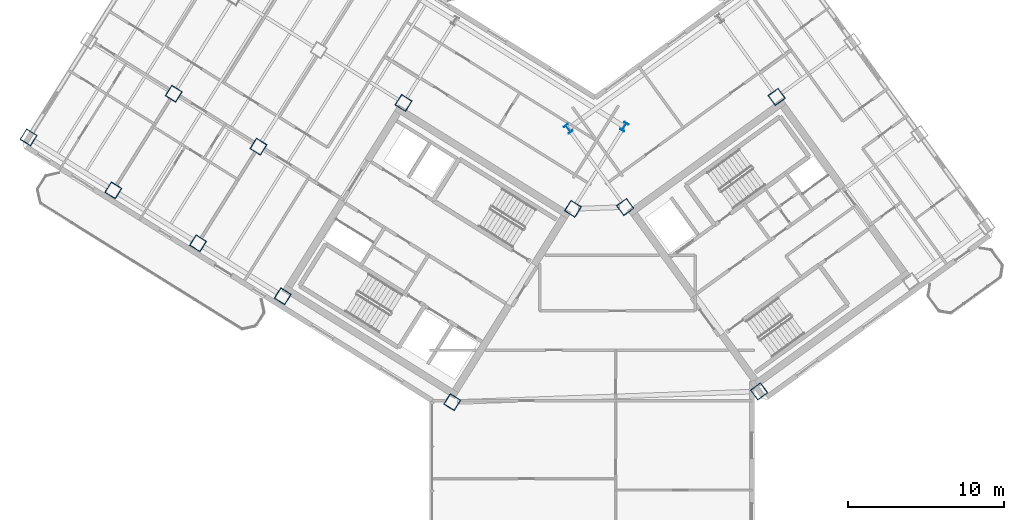
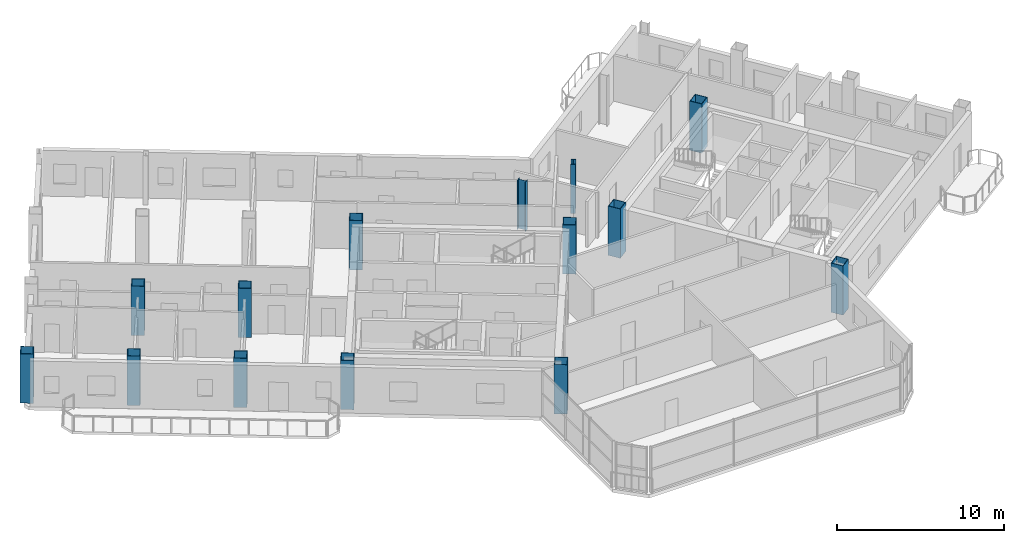
# One storey, part 1 of 20: 14 columns.
"""IFC4 building model written with IfcOpenShell, lengths in metres."""

from ifc_helpers import new_model, si_unit, direction, frame, origin, origin_2d, place, context, subcontext, project, spatial, hollow_rectangle, i_section, extrude, source, transform, mapped, material, material_profile, profile_set, type_object, element, save


model = new_model("IFC4")

# Units and contexts
model_context = context("Model", 3, precision=1e-05, world=origin(), true_north=direction((0.0, 1.0)))
body_context = subcontext(model_context, "Body", "Model", "MODEL_VIEW")
ifc_project = project(units=[si_unit("LENGTHUNIT", "METRE"), si_unit("AREAUNIT", "SQUARE_METRE"), si_unit("VOLUMEUNIT", "CUBIC_METRE"), si_unit("PLANEANGLEUNIT", "RADIAN"), si_unit("MASSUNIT", "GRAM", prefix="KILO")], contexts=[model_context])

# Site, building, storey
site_placement = place(None, origin())
site = spatial("IfcSite", under=ifc_project, at=site_placement, CompositionType="ELEMENT")
building_placement = place(site_placement, origin())
building = spatial("IfcBuilding", under=site, at=building_placement, Name="Tlacorven Tower", CompositionType="ELEMENT")
storey_placement = place(building_placement, frame((0.0, 0.0, 211.199951171875)))
storey = spatial("IfcBuildingStorey", under=building, at=storey_placement, Name="L53", CompositionType="ELEMENT", Elevation=211.199951171875)

# Columns
ifc_material = material(Name="Steel S460M", Category="steel")
ifc_material_profile_1 = material_profile(ifc_material, i_section(OverallWidth=0.300048828125, OverallDepth=0.550048828125, WebThickness=0.014892578125, FlangeThickness=0.029052734375, at=origin_2d()), Name="HEB 550")
ifc_profile_set_1 = profile_set([ifc_material_profile_1], Name="Steel S460M")
column_type_1 = type_object("IfcColumnType", Name="COL-TWR-P2", PredefinedType="COLUMN", material=ifc_profile_set_1)
shared_shape_1 = source(origin(), body_context, "Body", "SweptSolid", [
    extrude(i_section(OverallWidth=0.300048828125, OverallDepth=0.550048828125, WebThickness=0.014892578125, FlangeThickness=0.029052734375, at=origin_2d()), origin(), (0.0, 0.0, 1.0), 3.60009765625),
])
for number, where, z_axis, x_axis, name in (
    (1, (44.068359375, 29.726318359375, 0.0), (0.0, 0.0, 1.0), (-0.848048096156, 0.529919264233, 0.0), "L53 column COL-L53-W1-1"),
    (2, (40.4794921875, 29.60107421875, 0.0), (0.0, 0.0, 1.0), (0.809016994375, 0.587785252292, 0.0), "L53 column COL-L53-E1-4"),
):
    element("IfcColumn", number, at=place(storey_placement, frame(where, z_axis=z_axis, x_axis=x_axis)), inside=storey, type_object=column_type_1, Name=name, PredefinedType="COLUMN", context=body_context, shape_type="MappedRepresentation", body=[
        mapped(shared_shape_1, transform((0.0, 0.0, 0.0), scale=1.0)),
    ])
ifc_material_profile_2 = material_profile(ifc_material, hollow_rectangle(XDim=0.800048828125, YDim=0.800048828125, WallThickness=0.031982421875, at=origin_2d()), Name="BOX 800X800X32")
ifc_profile_set_2 = profile_set([ifc_material_profile_2], Name="Steel S460M")
column_type_2 = type_object("IfcColumnType", Name="COL-TWR-S3", PredefinedType="COLUMN", material=ifc_profile_set_2)
shared_shape_2 = source(origin(), body_context, "Body", "SweptSolid", [
    extrude(hollow_rectangle(XDim=0.800048828125, YDim=0.800048828125, WallThickness=0.031982421875, at=origin_2d()), origin(), (0.0, 0.0, 1.0), 3.60009765625),
])
for number, where, z_axis, x_axis, name in (
    (3, (40.782958984375, 24.468505859375, 0.0), (0.0, 0.0, 1.0), (-0.848048096156, 0.529919264233, 0.0), "L53 column COL-L53-W1-2"),
    (4, (33.046142578125, 12.0869140625, 0.0), (0.0, 0.0, 1.0), (-0.848048096156, 0.529919264233, 0.0), "L53 column COL-L53-W1-4"),
    (5, (29.927978515625, 31.25146484375, 0.0), (0.0, 0.0, 1.0), (-0.848048096156, 0.529919264233, 0.0), "L53 column COL-L53-W3-2"),
    (6, (22.191162109375, 18.869873046875, 0.0), (0.0, 0.0, 1.0), (-0.848048096156, 0.529919264233, 0.0), "L53 column COL-L53-W3-4"),
    (7, (20.632080078125, 28.4521484375, 0.0), (0.0, 0.0, 1.0), (-0.848048096156, 0.529919264233, 0.0), "L53 column COL-L53-W4-3"),
    (8, (16.763671875, 22.26123046875, 0.0), (0.0, 0.0, 1.0), (-0.848048096156, 0.529919264233, 0.0), "L53 column COL-L53-W4-4"),
    (9, (15.20458984375, 31.843505859375, 0.0), (0.0, 0.0, 1.0), (-0.848048096156, 0.529919264233, 0.0), "L53 column COL-L53-W5-3"),
    (10, (11.336181640625, 25.65283203125, 0.0), (0.0, 0.0, 1.0), (-0.848048096156, 0.529919264233, 0.0), "L53 column COL-L53-W5-4"),
    (11, (5.90869140625, 29.044189453125, 0.0), (0.0, 0.0, 1.0), (-0.848048096156, 0.529919264233, 0.0), "L53 column COL-L53-W6-4"),
    (12, (52.705322265625, 12.7734375, 0.0), (0.0, 0.0, 1.0), (0.809016994375, 0.587785252292, 0.0), "L53 column COL-L53-E1-1"),
    (13, (44.123779296875, 24.5849609375, 0.0), (0.0, 0.0, 1.0), (0.809016994375, 0.587785252292, 0.0), "L53 column COL-L53-E1-3"),
    (14, (53.83203125, 31.638427734375, 0.0), (0.0, 0.0, 1.0), (0.809016994375, 0.587785252292, 0.0), "L53 column COL-L53-E3-3"),
):
    element("IfcColumn", number, at=place(storey_placement, frame(where, z_axis=z_axis, x_axis=x_axis)), inside=storey, type_object=column_type_2, Name=name, PredefinedType="COLUMN", context=body_context, shape_type="MappedRepresentation", body=[
        mapped(shared_shape_2, transform((0.0, 0.0, 0.0), scale=1.0)),
    ])

save(model, "model.ifc")
